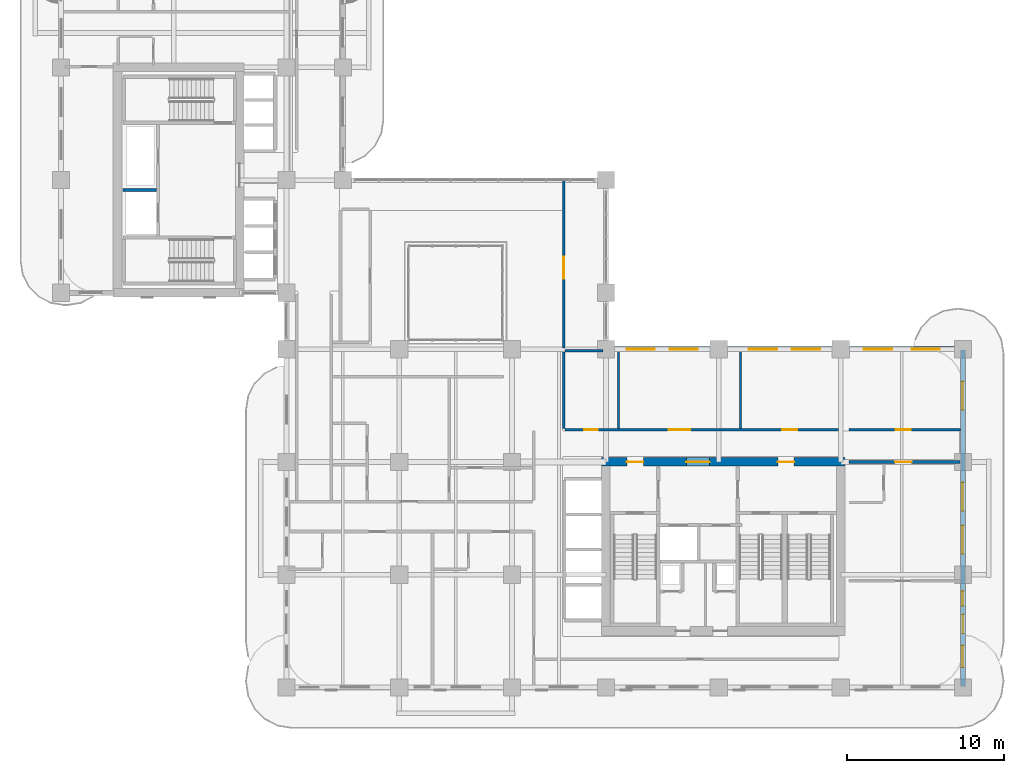
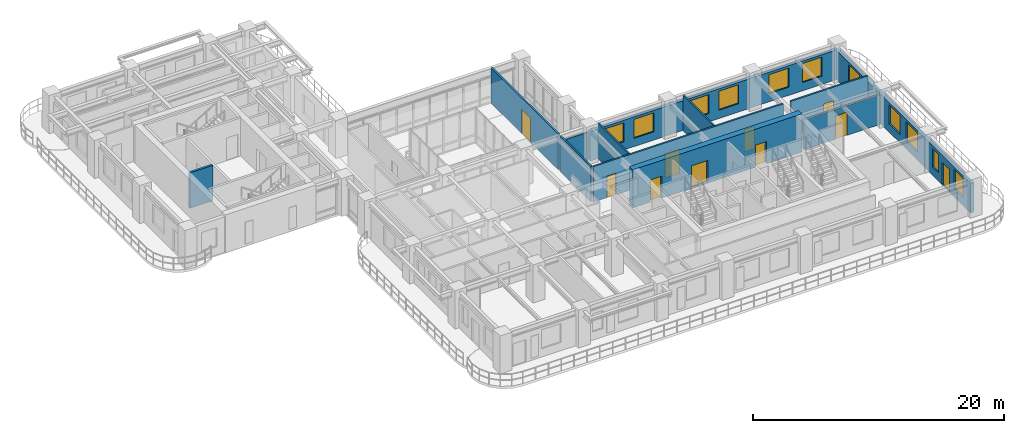
# One storey, part 15 of 22: 12 walls, 11 windows, 10 doors, 21 openings.
"""IFC4 building model written with IfcOpenShell, lengths in metres."""

from ifc_helpers import new_model, si_unit, derived_unit, direction, frame, frame_2d, origin, place, context, subcontext, project, spatial, rectangle, extrude, source, transform, mapped, material, layer, layer_set, type_object, type_shapes, element, fill, save


model = new_model("IFC4")

# Units and contexts
model_context = context("Model", 3, precision=1e-05, world=origin(), true_north=direction((0.0, 1.0)))
body_context = subcontext(model_context, "Body", "Model", "MODEL_VIEW")
ifc_project = project(units=[si_unit("LENGTHUNIT", "METRE"), si_unit("AREAUNIT", "SQUARE_METRE"), si_unit("VOLUMEUNIT", "CUBIC_METRE"), si_unit("PLANEANGLEUNIT", "RADIAN"), si_unit("MASSUNIT", "GRAM", prefix="KILO"), si_unit("THERMODYNAMICTEMPERATUREUNIT", "KELVIN"), si_unit("POWERUNIT", "WATT"), derived_unit("THERMALTRANSMITTANCEUNIT", [(si_unit("POWERUNIT", "WATT"), 1), (si_unit("AREAUNIT", "SQUARE_METRE"), -1), (si_unit("THERMODYNAMICTEMPERATUREUNIT", "KELVIN"), -1)])], contexts=[model_context])

# Site, building, storey
site_placement = place(None, origin())
site = spatial("IfcSite", under=ifc_project, at=site_placement, CompositionType="ELEMENT")
building_placement = place(site_placement, origin())
building = spatial("IfcBuilding", under=site, at=building_placement, Name="Zahravan Archway Hotel and Residences", CompositionType="ELEMENT")
storey_placement = place(building_placement, frame((0.0, 0.0, 84.199951171875)))
storey = spatial("IfcBuildingStorey", under=building, at=storey_placement, Name="L20", CompositionType="ELEMENT", Elevation=84.199951171875)

# Wall, openings, doors
ifc_material_1 = material(Name="Concrete C70/85", Category="concrete")
ifc_layer_1 = layer(ifc_material_1, 0.550048828125, Name="Concrete C70/85", Category="concrete")
ifc_layer_set_1 = layer_set([ifc_layer_1], Name="Concrete C70/85")
wall_type_1 = type_object("IfcWallType", Name="CW-CORE-550", PredefinedType="SHEAR", material=ifc_layer_set_1)
wall_1_placement = place(storey_placement, frame((34.52490234375, 14.39990234375, 0.0), z_axis=(0.0, 0.0, 1.0), x_axis=(1.0, 0.0, 0.0)))
wall_1 = element("IfcWall", 1, at=wall_1_placement, inside=storey, type_object=wall_type_1, Name="L20 Core A Shear N Wall 550 mm", PredefinedType="SHEAR", context=body_context, shape_type="SweptSolid", body=[
    extrude(rectangle(XDim=15.550048828125, YDim=0.550048828125, at=frame_2d((7.77490234375, 0.0))), origin(), (0.0, 0.0, 1.0), 3.699951171875),
])
opening_1_placement = place(wall_1_placement, frame((5.405029296875, 0.0, 0.0)))
opening_1 = element("IfcOpeningElement", 2, at=opening_1_placement, cuts=wall_1, Name="Opening FD-L1", PredefinedType="OPENING", context=body_context, shape_type="SweptSolid", body=[
    extrude(rectangle(XDim=1.5, YDim=2.199951171875, at=frame_2d((0.75, 1.10009765625))), frame((0.0, 0.28515625, 0.0), z_axis=(0.0, -1.0, 0.0), x_axis=(1.0, 0.0, 0.0)), (0.0, 0.0, 1.0), 0.570068359375),
])
opening_2_placement = place(wall_1_placement, frame((1.6201171875, 0.0, 0.0)))
opening_2 = element("IfcOpeningElement", 3, at=opening_2_placement, cuts=wall_1, Name="Opening FD-L2", PredefinedType="OPENING", context=body_context, shape_type="SweptSolid", body=[
    extrude(rectangle(XDim=1.050048828125, YDim=2.14990234375, at=frame_2d((0.52490234375, 1.074951171875))), frame((0.0, 0.28515625, 0.0), z_axis=(0.0, -1.0, 0.0), x_axis=(1.0, 0.0, 0.0)), (0.0, 0.0, 1.0), 0.570068359375),
])
opening_3_placement = place(wall_1_placement, frame((11.25, 0.0, 0.0)))
opening_3 = element("IfcOpeningElement", 4, at=opening_3_placement, cuts=wall_1, Name="Opening FD-L2", PredefinedType="OPENING", context=body_context, shape_type="SweptSolid", body=[
    extrude(rectangle(XDim=1.050048828125, YDim=2.14990234375, at=frame_2d((0.52490234375, 1.074951171875))), frame((0.0, 0.28515625, 0.0), z_axis=(0.0, -1.0, 0.0), x_axis=(1.0, 0.0, 0.0)), (0.0, 0.0, 1.0), 0.570068359375),
])
ifc_material_2 = material(Name="Fire-Rated Painted Steel", Category="steel")
door_type_1 = type_object("IfcDoorType", Name="FD-LOBBY-1100", OperationType="NOTDEFINED", PredefinedType="DOOR", material=ifc_material_2)
shared_shape_1 = source(origin(), body_context, "Body", "SweptSolid", [
    extrude(rectangle(XDim=1.050048828125, YDim=2.14990234375, at=frame_2d((0.52490234375, 1.074951171875))), frame((0.0, 0.02490234375, 0.0), z_axis=(0.0, -1.0, 0.0), x_axis=(1.0, 0.0, 0.0)), (0.0, 0.0, 1.0), 0.050048828125),
])
type_shapes(door_type_1, [shared_shape_1])
door_1_placement = place(opening_2_placement, origin())
door_1 = element("IfcDoor", 5, at=door_1_placement, inside=storey, type_object=door_type_1, Name="L20 Core A West Stair Lobby Door", OperationType="SINGLE_SWING_LEFT", OverallHeight=2.14990234375, OverallWidth=1.050048828125, PredefinedType="DOOR", context=body_context, shape_type="MappedRepresentation", body=[
    mapped(shared_shape_1, transform((0.0, 0.0, 0.0), scale=1.0)),
])
fill(opening_2, door_1)
door_2_placement = place(opening_3_placement, origin())
door_2 = element("IfcDoor", 6, at=door_2_placement, inside=storey, type_object=door_type_1, Name="L20 Core A East Stair Lobby Door", OperationType="SINGLE_SWING_RIGHT", OverallHeight=2.14990234375, OverallWidth=1.050048828125, PredefinedType="DOOR", context=body_context, shape_type="MappedRepresentation", body=[
    mapped(shared_shape_1, transform((0.0, 0.0, 0.0), scale=1.0)),
])
fill(opening_3, door_2)
door_type_2 = type_object("IfcDoorType", Name="FD-LOBBY-1500", OperationType="DOUBLE_DOOR_SINGLE_SWING", PredefinedType="DOOR", material=ifc_material_2)
shared_shape_2 = source(origin(), body_context, "Body", "SweptSolid", [
    extrude(rectangle(XDim=1.5, YDim=2.199951171875, at=frame_2d((0.75, 1.10009765625))), frame((0.0, 0.02490234375, 0.0), z_axis=(0.0, -1.0, 0.0), x_axis=(1.0, 0.0, 0.0)), (0.0, 0.0, 1.0), 0.050048828125),
])
type_shapes(door_type_2, [shared_shape_2])
door_3_placement = place(opening_1_placement, origin())
door_3 = element("IfcDoor", 7, at=door_3_placement, inside=storey, type_object=door_type_2, Name="L20 Core A FSAE Lobby Main Door", OperationType="DOUBLE_DOOR_SINGLE_SWING", OverallHeight=2.199951171875, OverallWidth=1.5, PredefinedType="DOOR", context=body_context, shape_type="MappedRepresentation", body=[
    mapped(shared_shape_2, transform((0.0, 0.0, 0.0), scale=1.0)),
])
fill(opening_1, door_3)

# Wall, openings, door, windows
ifc_material_3 = material(Name="Agra Buff Sandstone & Insulated Backup", Category="masonry")
ifc_layer_2 = layer(ifc_material_3, 0.320068359375, Name="Agra Buff Sandstone & Insulated Backup", Category="masonry")
ifc_layer_set_2 = layer_set([ifc_layer_2], Name="Agra Buff Sandstone & Insulated Backup")
wall_type_2 = type_object("IfcWallType", Name="EW-SAND-320", PredefinedType="SOLIDWALL", material=ifc_layer_set_2)
wall_2_placement = place(storey_placement, frame((57.60009765625, 0.050048828125, 0.0), z_axis=(0.0, 0.0, 1.0), x_axis=(0.0, 1.0, 0.0)))
wall_2 = element("IfcWall", 8, at=wall_2_placement, inside=storey, type_object=wall_type_2, Name="L20 Exterior Sandstone Wall WA-E", PredefinedType="SOLIDWALL", context=body_context, shape_type="SweptSolid", body=[
    extrude(rectangle(XDim=21.5, YDim=0.320068359375, at=frame_2d((10.75, 0.0))), origin(), (0.0, 0.0, 1.0), 2.885009765625),
])
opening_4_placement = place(wall_2_placement, frame((3.39990234375, 0.0, 0.0)))
opening_4 = element("IfcOpeningElement", 9, at=opening_4_placement, cuts=wall_2, Name="Opening ED-BL1", PredefinedType="OPENING", context=body_context, shape_type="SweptSolid", body=[
    extrude(rectangle(XDim=1.199951171875, YDim=2.199951171875, at=frame_2d((0.60009765625, 1.10009765625))), frame((0.0, 0.169921875, 0.0), z_axis=(0.0, -1.0, 0.0), x_axis=(1.0, 0.0, 0.0)), (0.0, 0.0, 1.0), 0.340087890625),
])
opening_5_placement = place(wall_2_placement, frame((1.22509765625, 0.0, 0.800048828125)))
opening_5 = element("IfcOpeningElement", 10, at=opening_5_placement, cuts=wall_2, Name="Opening W-03", PredefinedType="OPENING", context=body_context, shape_type="SweptSolid", body=[
    extrude(rectangle(XDim=1.39990234375, YDim=1.85009765625, at=frame_2d((0.699951171875, 0.925048828125))), frame((0.0, 0.169921875, 0.0), z_axis=(0.0, -1.0, 0.0), x_axis=(1.0, 0.0, 0.0)), (0.0, 0.0, 1.0), 0.340087890625),
])
opening_6_placement = place(wall_2_placement, frame((5.14990234375, 0.0, 0.800048828125)))
opening_6 = element("IfcOpeningElement", 11, at=opening_6_placement, cuts=wall_2, Name="Opening W-04", PredefinedType="OPENING", context=body_context, shape_type="SweptSolid", body=[
    extrude(rectangle(XDim=0.949951171875, YDim=1.75, at=frame_2d((0.47509765625, 0.875))), frame((0.0, 0.169921875, 0.0), z_axis=(0.0, -1.0, 0.0), x_axis=(1.0, 0.0, 0.0)), (0.0, 0.0, 1.0), 0.340087890625),
])
opening_7_placement = place(wall_2_placement, frame((8.47509765625, 0.0, 0.800048828125)))
opening_7 = element("IfcOpeningElement", 12, at=opening_7_placement, cuts=wall_2, Name="Opening W-02", PredefinedType="OPENING", context=body_context, shape_type="SweptSolid", body=[
    extrude(rectangle(XDim=1.800048828125, YDim=1.85009765625, at=frame_2d((0.89990234375, 0.925048828125))), frame((0.0, 0.169921875, 0.0), z_axis=(0.0, -1.0, 0.0), x_axis=(1.0, 0.0, 0.0)), (0.0, 0.0, 1.0), 0.340087890625),
])
opening_8_placement = place(wall_2_placement, frame((11.22509765625, 0.0, 0.800048828125)))
opening_8 = element("IfcOpeningElement", 13, at=opening_8_placement, cuts=wall_2, Name="Opening W-02", PredefinedType="OPENING", context=body_context, shape_type="SweptSolid", body=[
    extrude(rectangle(XDim=1.800048828125, YDim=1.85009765625, at=frame_2d((0.89990234375, 0.925048828125))), frame((0.0, 0.169921875, 0.0), z_axis=(0.0, -1.0, 0.0), x_axis=(1.0, 0.0, 0.0)), (0.0, 0.0, 1.0), 0.340087890625),
])
opening_9_placement = place(wall_2_placement, frame((17.678955078125, 0.0, 0.800048828125)))
opening_9 = element("IfcOpeningElement", 14, at=opening_9_placement, cuts=wall_2, Name="Opening W-02", PredefinedType="OPENING", context=body_context, shape_type="SweptSolid", body=[
    extrude(rectangle(XDim=1.800048828125, YDim=1.85009765625, at=frame_2d((0.89990234375, 0.925048828125))), frame((0.0, 0.169921875, 0.0), z_axis=(0.0, -1.0, 0.0), x_axis=(1.0, 0.0, 0.0)), (0.0, 0.0, 1.0), 0.340087890625),
])
ifc_material_4 = material(Name="Bronze-Anodized Glazed Aluminium", Category="aluminium")
door_type_3 = type_object("IfcDoorType", Name="ED-BALC-1200", OperationType="SLIDING_TO_LEFT", PredefinedType="DOOR", material=ifc_material_4)
shared_shape_3 = source(origin(), body_context, "Body", "SweptSolid", [
    extrude(rectangle(XDim=1.199951171875, YDim=2.199951171875, at=frame_2d((0.60009765625, 1.10009765625))), frame((0.0, 0.02490234375, 0.0), z_axis=(0.0, -1.0, 0.0), x_axis=(1.0, 0.0, 0.0)), (0.0, 0.0, 1.0), 0.050048828125),
])
type_shapes(door_type_3, [shared_shape_3])
door_4_placement = place(opening_4_placement, origin())
door_4 = element("IfcDoor", 15, at=door_4_placement, inside=storey, type_object=door_type_3, Name="L20 Outdoor Access Sliding Door (SLB-BAL-L20-EA)", OperationType="SLIDING_TO_LEFT", OverallHeight=2.199951171875, OverallWidth=1.199951171875, PredefinedType="DOOR", context=body_context, shape_type="MappedRepresentation", body=[
    mapped(shared_shape_3, transform((0.0, 0.0, 0.0), scale=1.0)),
])
fill(opening_4, door_4)
ifc_material_5 = material(Name="Bronze-Anodized Thermal-Break Aluminium & Low-E Glass", Category="aluminium")
window_type_1 = type_object("IfcWindowType", Name="WIN-TWR-1400", PartitioningType="SINGLE_PANEL", PredefinedType="WINDOW", material=ifc_material_5)
shared_shape_4 = source(origin(), body_context, "Body", "SweptSolid", [
    extrude(rectangle(XDim=1.39990234375, YDim=1.85009765625, at=frame_2d((0.699951171875, 0.925048828125))), frame((0.0, 0.030029296875, 0.0), z_axis=(0.0, -1.0, 0.0), x_axis=(1.0, 0.0, 0.0)), (0.0, 0.0, 1.0), 0.06005859375),
])
type_shapes(window_type_1, [shared_shape_4])
window_1_placement = place(opening_5_placement, origin())
window_1 = element("IfcWindow", 16, at=window_1_placement, inside=storey, type_object=window_type_1, Name="L20 Loggia Window 11", OverallHeight=1.85009765625, OverallWidth=1.39990234375, PartitioningType="SINGLE_PANEL", PredefinedType="WINDOW", context=body_context, shape_type="MappedRepresentation", body=[
    mapped(shared_shape_4, transform((0.0, 0.0, 0.0), scale=1.0)),
])
fill(opening_5, window_1)
window_type_2 = type_object("IfcWindowType", Name="WIN-NAR-950", PartitioningType="SINGLE_PANEL", PredefinedType="WINDOW", material=ifc_material_5)
shared_shape_5 = source(origin(), body_context, "Body", "SweptSolid", [
    extrude(rectangle(XDim=0.949951171875, YDim=1.75, at=frame_2d((0.47509765625, 0.875))), frame((0.0, 0.030029296875, 0.0), z_axis=(0.0, -1.0, 0.0), x_axis=(1.0, 0.0, 0.0)), (0.0, 0.0, 1.0), 0.06005859375),
])
type_shapes(window_type_2, [shared_shape_5])
window_2_placement = place(opening_6_placement, origin())
window_2 = element("IfcWindow", 17, at=window_2_placement, inside=storey, type_object=window_type_2, Name="L20 Loggia Window 12", OverallHeight=1.75, OverallWidth=0.949951171875, PartitioningType="SINGLE_PANEL", PredefinedType="WINDOW", context=body_context, shape_type="MappedRepresentation", body=[
    mapped(shared_shape_5, transform((0.0, 0.0, 0.0), scale=1.0)),
])
fill(opening_6, window_2)
window_type_3 = type_object("IfcWindowType", Name="WIN-TWR-1800", PartitioningType="DOUBLE_PANEL_VERTICAL", PredefinedType="WINDOW", material=ifc_material_5)
shared_shape_6 = source(origin(), body_context, "Body", "SweptSolid", [
    extrude(rectangle(XDim=1.800048828125, YDim=1.85009765625, at=frame_2d((0.89990234375, 0.925048828125))), frame((0.0, 0.030029296875, 0.0), z_axis=(0.0, -1.0, 0.0), x_axis=(1.0, 0.0, 0.0)), (0.0, 0.0, 1.0), 0.06005859375),
])
type_shapes(window_type_3, [shared_shape_6])
window_3_placement = place(opening_7_placement, origin())
window_3 = element("IfcWindow", 18, at=window_3_placement, inside=storey, type_object=window_type_3, Name="L20 Loggia Window 13", OverallHeight=1.85009765625, OverallWidth=1.800048828125, PartitioningType="DOUBLE_PANEL_VERTICAL", PredefinedType="WINDOW", context=body_context, shape_type="MappedRepresentation", body=[
    mapped(shared_shape_6, transform((0.0, 0.0, 0.0), scale=1.0)),
])
fill(opening_7, window_3)
window_4_placement = place(opening_8_placement, origin())
window_4 = element("IfcWindow", 19, at=window_4_placement, inside=storey, type_object=window_type_3, Name="L20 Loggia Window 14", OverallHeight=1.85009765625, OverallWidth=1.800048828125, PartitioningType="DOUBLE_PANEL_VERTICAL", PredefinedType="WINDOW", context=body_context, shape_type="MappedRepresentation", body=[
    mapped(shared_shape_6, transform((0.0, 0.0, 0.0), scale=1.0)),
])
fill(opening_8, window_4)
window_5_placement = place(opening_9_placement, origin())
window_5 = element("IfcWindow", 20, at=window_5_placement, inside=storey, type_object=window_type_3, Name="L20 Loggia Window 15", OverallHeight=1.85009765625, OverallWidth=1.800048828125, PartitioningType="DOUBLE_PANEL_VERTICAL", PredefinedType="WINDOW", context=body_context, shape_type="MappedRepresentation", body=[
    mapped(shared_shape_6, transform((0.0, 0.0, 0.0), scale=1.0)),
])
fill(opening_9, window_5)

# Wall, openings, windows
wall_3_placement = place(storey_placement, frame((34.800048828125, 21.60009765625, 0.0), z_axis=(0.0, 0.0, 1.0), x_axis=(1.0, 0.0, 0.0)))
wall_3 = element("IfcWall", 21, at=wall_3_placement, inside=storey, type_object=wall_type_2, Name="L20 Exterior Sandstone Wall WA-NE", PredefinedType="SOLIDWALL", context=body_context, shape_type="SweptSolid", body=[
    extrude(rectangle(XDim=22.800048828125, YDim=0.320068359375, at=frame_2d((11.39990234375, 0.0))), origin(), (0.0, 0.0, 1.0), 2.885009765625),
])
opening_10_placement = place(wall_3_placement, frame((1.3310546875, 0.0, 0.800048828125)))
opening_10 = element("IfcOpeningElement", 22, at=opening_10_placement, cuts=wall_3, Name="Opening W-02", PredefinedType="OPENING", context=body_context, shape_type="SweptSolid", body=[
    extrude(rectangle(XDim=1.800048828125, YDim=1.85009765625, at=frame_2d((0.89990234375, 0.925048828125))), frame((0.0, 0.169921875, 0.0), z_axis=(0.0, -1.0, 0.0), x_axis=(1.0, 0.0, 0.0)), (0.0, 0.0, 1.0), 0.340087890625),
])
opening_11_placement = place(wall_3_placement, frame((4.076904296875, 0.0, 0.800048828125)))
opening_11 = element("IfcOpeningElement", 23, at=opening_11_placement, cuts=wall_3, Name="Opening W-02", PredefinedType="OPENING", context=body_context, shape_type="SweptSolid", body=[
    extrude(rectangle(XDim=1.800048828125, YDim=1.85009765625, at=frame_2d((0.89990234375, 0.925048828125))), frame((0.0, 0.169921875, 0.0), z_axis=(0.0, -1.0, 0.0), x_axis=(1.0, 0.0, 0.0)), (0.0, 0.0, 1.0), 0.340087890625),
])
opening_12_placement = place(wall_3_placement, frame((9.131103515625, 0.0, 0.800048828125)))
opening_12 = element("IfcOpeningElement", 24, at=opening_12_placement, cuts=wall_3, Name="Opening W-02", PredefinedType="OPENING", context=body_context, shape_type="SweptSolid", body=[
    extrude(rectangle(XDim=1.800048828125, YDim=1.85009765625, at=frame_2d((0.89990234375, 0.925048828125))), frame((0.0, 0.169921875, 0.0), z_axis=(0.0, -1.0, 0.0), x_axis=(1.0, 0.0, 0.0)), (0.0, 0.0, 1.0), 0.340087890625),
])
opening_13_placement = place(wall_3_placement, frame((11.876953125, 0.0, 0.800048828125)))
opening_13 = element("IfcOpeningElement", 25, at=opening_13_placement, cuts=wall_3, Name="Opening W-02", PredefinedType="OPENING", context=body_context, shape_type="SweptSolid", body=[
    extrude(rectangle(XDim=1.800048828125, YDim=1.85009765625, at=frame_2d((0.89990234375, 0.925048828125))), frame((0.0, 0.169921875, 0.0), z_axis=(0.0, -1.0, 0.0), x_axis=(1.0, 0.0, 0.0)), (0.0, 0.0, 1.0), 0.340087890625),
])
opening_14_placement = place(wall_3_placement, frame((16.47509765625, 0.0, 0.800048828125)))
opening_14 = element("IfcOpeningElement", 26, at=opening_14_placement, cuts=wall_3, Name="Opening W-02", PredefinedType="OPENING", context=body_context, shape_type="SweptSolid", body=[
    extrude(rectangle(XDim=1.800048828125, YDim=1.85009765625, at=frame_2d((0.89990234375, 0.925048828125))), frame((0.0, 0.169921875, 0.0), z_axis=(0.0, -1.0, 0.0), x_axis=(1.0, 0.0, 0.0)), (0.0, 0.0, 1.0), 0.340087890625),
])
opening_15_placement = place(wall_3_placement, frame((19.52490234375, 0.0, 0.800048828125)))
opening_15 = element("IfcOpeningElement", 27, at=opening_15_placement, cuts=wall_3, Name="Opening W-02", PredefinedType="OPENING", context=body_context, shape_type="SweptSolid", body=[
    extrude(rectangle(XDim=1.800048828125, YDim=1.85009765625, at=frame_2d((0.89990234375, 0.925048828125))), frame((0.0, 0.169921875, 0.0), z_axis=(0.0, -1.0, 0.0), x_axis=(1.0, 0.0, 0.0)), (0.0, 0.0, 1.0), 0.340087890625),
])
window_6_placement = place(opening_10_placement, origin())
window_6 = element("IfcWindow", 28, at=window_6_placement, inside=storey, type_object=window_type_3, Name="L20 Loggia Window 16", OverallHeight=1.85009765625, OverallWidth=1.800048828125, PartitioningType="DOUBLE_PANEL_VERTICAL", PredefinedType="WINDOW", context=body_context, shape_type="MappedRepresentation", body=[
    mapped(shared_shape_6, transform((0.0, 0.0, 0.0), scale=1.0)),
])
fill(opening_10, window_6)
window_7_placement = place(opening_11_placement, origin())
window_7 = element("IfcWindow", 29, at=window_7_placement, inside=storey, type_object=window_type_3, Name="L20 Loggia Window 17", OverallHeight=1.85009765625, OverallWidth=1.800048828125, PartitioningType="DOUBLE_PANEL_VERTICAL", PredefinedType="WINDOW", context=body_context, shape_type="MappedRepresentation", body=[
    mapped(shared_shape_6, transform((0.0, 0.0, 0.0), scale=1.0)),
])
fill(opening_11, window_7)
window_8_placement = place(opening_12_placement, origin())
window_8 = element("IfcWindow", 30, at=window_8_placement, inside=storey, type_object=window_type_3, Name="L20 Loggia Window 18", OverallHeight=1.85009765625, OverallWidth=1.800048828125, PartitioningType="DOUBLE_PANEL_VERTICAL", PredefinedType="WINDOW", context=body_context, shape_type="MappedRepresentation", body=[
    mapped(shared_shape_6, transform((0.0, 0.0, 0.0), scale=1.0)),
])
fill(opening_12, window_8)
window_9_placement = place(opening_13_placement, origin())
window_9 = element("IfcWindow", 31, at=window_9_placement, inside=storey, type_object=window_type_3, Name="L20 Loggia Window 19", OverallHeight=1.85009765625, OverallWidth=1.800048828125, PartitioningType="DOUBLE_PANEL_VERTICAL", PredefinedType="WINDOW", context=body_context, shape_type="MappedRepresentation", body=[
    mapped(shared_shape_6, transform((0.0, 0.0, 0.0), scale=1.0)),
])
fill(opening_13, window_9)
window_10_placement = place(opening_14_placement, origin())
window_10 = element("IfcWindow", 32, at=window_10_placement, inside=storey, type_object=window_type_3, Name="L20 Loggia Window 20", OverallHeight=1.85009765625, OverallWidth=1.800048828125, PartitioningType="DOUBLE_PANEL_VERTICAL", PredefinedType="WINDOW", context=body_context, shape_type="MappedRepresentation", body=[
    mapped(shared_shape_6, transform((0.0, 0.0, 0.0), scale=1.0)),
])
fill(opening_14, window_10)
window_11_placement = place(opening_15_placement, origin())
window_11 = element("IfcWindow", 33, at=window_11_placement, inside=storey, type_object=window_type_3, Name="L20 Loggia Window 21", OverallHeight=1.85009765625, OverallWidth=1.800048828125, PartitioningType="DOUBLE_PANEL_VERTICAL", PredefinedType="WINDOW", context=body_context, shape_type="MappedRepresentation", body=[
    mapped(shared_shape_6, transform((0.0, 0.0, 0.0), scale=1.0)),
])
fill(opening_15, window_11)

# Wall, openings, doors
ifc_material_6 = material(Name="Fire-Rated Gypsum & Concrete Block", Category="concrete")
ifc_layer_3 = layer(ifc_material_6, 0.159912109375, Name="Fire-Rated Gypsum & Concrete Block", Category="concrete")
ifc_layer_set_3 = layer_set([ifc_layer_3], Name="Fire-Rated Gypsum & Concrete Block")
wall_type_3 = type_object("IfcWallType", Name="PW-CORR-160", PredefinedType="PARTITIONING", material=ifc_layer_set_3)
wall_4_placement = place(storey_placement, frame((32.18994140625, 16.449951171875, 0.0), z_axis=(0.0, 0.0, 1.0), x_axis=(1.0, 0.0, 0.0)))
wall_4 = element("IfcWall", 34, at=wall_4_placement, inside=storey, type_object=wall_type_3, Name="L20 Partition WA-FN", PredefinedType="PARTITIONING", context=body_context, shape_type="SweptSolid", body=[
    extrude(rectangle(XDim=17.469970703125, YDim=0.159912109375, at=frame_2d((8.73486328125, 0.0))), origin(), (0.0, 0.0, 1.0), 3.449951171875),
])
opening_16_placement = place(wall_4_placement, frame((1.235107421875, 0.0, 0.0)))
opening_16 = element("IfcOpeningElement", 35, at=opening_16_placement, cuts=wall_4, Name="Opening D-B1", PredefinedType="OPENING", context=body_context, shape_type="SweptSolid", body=[
    extrude(rectangle(XDim=0.85009765625, YDim=2.10009765625, at=frame_2d((0.425048828125, 1.050048828125))), frame((0.0, 0.08984375, 0.0), z_axis=(0.0, -1.0, 0.0), x_axis=(1.0, 0.0, 0.0)), (0.0, 0.0, 1.0), 0.179931640625),
])
opening_17_placement = place(wall_4_placement, frame((6.610107421875, 0.0, 0.0)))
opening_17 = element("IfcOpeningElement", 36, at=opening_17_placement, cuts=wall_4, Name="Opening D-P1", PredefinedType="OPENING", context=body_context, shape_type="SweptSolid", body=[
    extrude(rectangle(XDim=1.39990234375, YDim=2.35009765625, at=frame_2d((0.699951171875, 1.175048828125))), frame((0.0, 0.08984375, 0.0), z_axis=(0.0, -1.0, 0.0), x_axis=(1.0, 0.0, 0.0)), (0.0, 0.0, 1.0), 0.179931640625),
])
opening_18_placement = place(wall_4_placement, frame((13.885009765625, 0.0, 0.0)))
opening_18 = element("IfcOpeningElement", 37, at=opening_18_placement, cuts=wall_4, Name="Opening D-I1", PredefinedType="OPENING", context=body_context, shape_type="SweptSolid", body=[
    extrude(rectangle(XDim=0.949951171875, YDim=2.14990234375, at=frame_2d((0.47509765625, 1.074951171875))), frame((0.0, 0.08984375, 0.0), z_axis=(0.0, -1.0, 0.0), x_axis=(1.0, 0.0, 0.0)), (0.0, 0.0, 1.0), 0.179931640625),
])
ifc_material_7 = material(Name="Hardwood Veneer Timber", Category="wood")
door_type_4 = type_object("IfcDoorType", Name="ID-BATH-850", OperationType="NOTDEFINED", PredefinedType="DOOR", material=ifc_material_7)
shared_shape_7 = source(origin(), body_context, "Body", "SweptSolid", [
    extrude(rectangle(XDim=0.85009765625, YDim=2.10009765625, at=frame_2d((0.425048828125, 1.050048828125))), frame((0.0, 0.02490234375, 0.0), z_axis=(0.0, -1.0, 0.0), x_axis=(1.0, 0.0, 0.0)), (0.0, 0.0, 1.0), 0.050048828125),
])
type_shapes(door_type_4, [shared_shape_7])
door_5_placement = place(opening_16_placement, origin())
door_5 = element("IfcDoor", 38, at=door_5_placement, inside=storey, type_object=door_type_4, Name="L20 Accessible WC Door", OperationType="SINGLE_SWING_RIGHT", OverallHeight=2.10009765625, OverallWidth=0.85009765625, PredefinedType="DOOR", context=body_context, shape_type="MappedRepresentation", body=[
    mapped(shared_shape_7, transform((0.0, 0.0, 0.0), scale=1.0)),
])
fill(opening_16, door_5)
door_type_5 = type_object("IfcDoorType", Name="ID-PUBLIC-1400", OperationType="DOUBLE_DOOR_SINGLE_SWING", PredefinedType="DOOR", material=ifc_material_4)
shared_shape_8 = source(origin(), body_context, "Body", "SweptSolid", [
    extrude(rectangle(XDim=1.39990234375, YDim=2.35009765625, at=frame_2d((0.699951171875, 1.175048828125))), frame((0.0, 0.02490234375, 0.0), z_axis=(0.0, -1.0, 0.0), x_axis=(1.0, 0.0, 0.0)), (0.0, 0.0, 1.0), 0.050048828125),
])
type_shapes(door_type_5, [shared_shape_8])
door_6_placement = place(opening_17_placement, origin())
door_6 = element("IfcDoor", 39, at=door_6_placement, inside=storey, type_object=door_type_5, Name="L20 Private Dining Door", OperationType="DOUBLE_DOOR_SINGLE_SWING", OverallHeight=2.35009765625, OverallWidth=1.39990234375, PredefinedType="DOOR", context=body_context, shape_type="MappedRepresentation", body=[
    mapped(shared_shape_8, transform((0.0, 0.0, 0.0), scale=1.0)),
])
fill(opening_17, door_6)
door_type_6 = type_object("IfcDoorType", Name="ID-INT-950", OperationType="NOTDEFINED", PredefinedType="DOOR", material=ifc_material_7)
shared_shape_9 = source(origin(), body_context, "Body", "SweptSolid", [
    extrude(rectangle(XDim=0.949951171875, YDim=2.14990234375, at=frame_2d((0.47509765625, 1.074951171875))), frame((0.0, 0.02490234375, 0.0), z_axis=(0.0, -1.0, 0.0), x_axis=(1.0, 0.0, 0.0)), (0.0, 0.0, 1.0), 0.050048828125),
])
type_shapes(door_type_6, [shared_shape_9])
door_7_placement = place(opening_18_placement, origin())
door_7 = element("IfcDoor", 40, at=door_7_placement, inside=storey, type_object=door_type_6, Name="L20 Quiet Musalla Door", OperationType="SINGLE_SWING_LEFT", OverallHeight=2.14990234375, OverallWidth=0.949951171875, PredefinedType="DOOR", context=body_context, shape_type="MappedRepresentation", body=[
    mapped(shared_shape_9, transform((0.0, 0.0, 0.0), scale=1.0)),
])
fill(opening_18, door_7)

# Wall, opening, door
wall_5_placement = place(storey_placement, frame((50.340087890625, 16.449951171875, 0.0), z_axis=(0.0, 0.0, 1.0), x_axis=(1.0, 0.0, 0.0)))
wall_5 = element("IfcWall", 41, at=wall_5_placement, inside=storey, type_object=wall_type_3, Name="L20 Partition EA-PN", PredefinedType="PARTITIONING", context=body_context, shape_type="SweptSolid", body=[
    extrude(rectangle(XDim=7.091796875, YDim=0.159912109375, at=frame_2d((3.5458984375, 0.0))), origin(), (0.0, 0.0, 1.0), 3.449951171875),
])
opening_19_placement = place(wall_5_placement, frame((2.985107421875, 0.0, 0.0)))
opening_19 = element("IfcOpeningElement", 42, at=opening_19_placement, cuts=wall_5, Name="Opening D-I1", PredefinedType="OPENING", context=body_context, shape_type="SweptSolid", body=[
    extrude(rectangle(XDim=0.949951171875, YDim=2.14990234375, at=frame_2d((0.47509765625, 1.074951171875))), frame((0.0, 0.08984375, 0.0), z_axis=(0.0, -1.0, 0.0), x_axis=(1.0, 0.0, 0.0)), (0.0, 0.0, 1.0), 0.179931640625),
])
door_8_placement = place(opening_19_placement, origin())
door_8 = element("IfcDoor", 43, at=door_8_placement, inside=storey, type_object=door_type_6, Name="L20 East Tea Kitchenette Door", OperationType="SINGLE_SWING_LEFT", OverallHeight=2.14990234375, OverallWidth=0.949951171875, PredefinedType="DOOR", context=body_context, shape_type="MappedRepresentation", body=[
    mapped(shared_shape_9, transform((0.0, 0.0, 0.0), scale=1.0)),
])
fill(opening_19, door_8)

# Wall
ifc_layer_4 = layer(ifc_material_6, 0.199951171875, Name="Fire-Rated Gypsum & Concrete Block", Category="concrete")
ifc_layer_set_4 = layer_set([ifc_layer_4], Name="Fire-Rated Gypsum & Concrete Block")
wall_type_4 = type_object("IfcWallType", Name="PW-SHAFT-200", PredefinedType="PARTITIONING", material=ifc_layer_set_4)
wall_6_placement = place(storey_placement, frame((3.9599609375, 31.780029296875, 0.0), z_axis=(0.0, 0.0, 1.0), x_axis=(1.0, 0.0, 0.0)))
element("IfcWall", 44, at=wall_6_placement, inside=storey, type_object=wall_type_4, Name="L20 Partition CB-FL3N", PredefinedType="PARTITIONING", context=body_context, shape_type="SweptSolid", body=[
    extrude(rectangle(XDim=2.130126953125, YDim=0.199951171875, at=frame_2d((1.06494140625, 0.0))), origin(), (0.0, 0.0, 1.0), 3.449951171875),
])

# Wall, opening, door
ifc_material_8 = material(Name="Acoustic Stud Partition")
ifc_layer_5 = layer(ifc_material_8, 0.169921875, Name="Acoustic Stud Partition")
ifc_layer_set_5 = layer_set([ifc_layer_5], Name="Acoustic Stud Partition")
wall_type_5 = type_object("IfcWallType", Name="PW-UNIT-170", PredefinedType="PARTITIONING", material=ifc_layer_set_5)
wall_7_placement = place(storey_placement, frame((50.340087890625, 14.39990234375, 0.0), z_axis=(0.0, 0.0, 1.0), x_axis=(1.0, 0.0, 0.0)))
wall_7 = element("IfcWall", 45, at=wall_7_placement, inside=storey, type_object=wall_type_5, Name="L20 Partition EA-PS", PredefinedType="PARTITIONING", context=body_context, shape_type="SweptSolid", body=[
    extrude(rectangle(XDim=7.06982421875, YDim=0.169921875, at=frame_2d((3.534912109375, 0.0))), origin(), (0.0, 0.0, 1.0), 2.885009765625),
])
opening_20_placement = place(wall_7_placement, frame((2.93505859375, 0.0, 0.0)))
opening_20 = element("IfcOpeningElement", 46, at=opening_20_placement, cuts=wall_7, Name="Opening D-U1", PredefinedType="OPENING", context=body_context, shape_type="SweptSolid", body=[
    extrude(rectangle(XDim=1.050048828125, YDim=2.25, at=frame_2d((0.52490234375, 1.125))), frame((0.0, 0.094970703125, 0.0), z_axis=(0.0, -1.0, 0.0), x_axis=(1.0, 0.0, 0.0)), (0.0, 0.0, 1.0), 0.18994140625),
])
door_type_7 = type_object("IfcDoorType", Name="ID-UNIT-1050", OperationType="NOTDEFINED", PredefinedType="DOOR", material=ifc_material_7)
shared_shape_10 = source(origin(), body_context, "Body", "SweptSolid", [
    extrude(rectangle(XDim=1.050048828125, YDim=2.25, at=frame_2d((0.52490234375, 1.125))), frame((0.0, 0.02490234375, 0.0), z_axis=(0.0, -1.0, 0.0), x_axis=(1.0, 0.0, 0.0)), (0.0, 0.0, 1.0), 0.050048828125),
])
type_shapes(door_type_7, [shared_shape_10])
door_9_placement = place(opening_20_placement, origin())
door_9 = element("IfcDoor", 47, at=door_9_placement, inside=storey, type_object=door_type_7, Name="L20 East Suite Door", OperationType="SINGLE_SWING_RIGHT", OverallHeight=2.25, OverallWidth=1.050048828125, PredefinedType="DOOR", context=body_context, shape_type="MappedRepresentation", body=[
    mapped(shared_shape_10, transform((0.0, 0.0, 0.0), scale=1.0)),
])
fill(opening_20, door_9)

wall_8_placement = place(storey_placement, frame((32.10009765625, 21.669921875, 0.0), z_axis=(0.0, 0.0, 1.0), x_axis=(0.0, 1.0, 0.0)))
wall_8 = element("IfcWall", 48, at=wall_8_placement, inside=storey, type_object=wall_type_5, Name="L20 Partition ATR-E", PredefinedType="PARTITIONING", context=body_context, shape_type="SweptSolid", body=[
    extrude(rectangle(XDim=10.7021484375, YDim=0.169921875, at=frame_2d((5.35107421875, 0.0))), origin(), (0.0, 0.0, 1.0), 3.449951171875),
])
opening_21_placement = place(wall_8_placement, frame((4.429931640625, 0.0, 0.0)))
opening_21 = element("IfcOpeningElement", 49, at=opening_21_placement, cuts=wall_8, Name="Opening D-P1", PredefinedType="OPENING", context=body_context, shape_type="SweptSolid", body=[
    extrude(rectangle(XDim=1.39990234375, YDim=2.35009765625, at=frame_2d((0.699951171875, 1.175048828125))), frame((0.0, 0.094970703125, 0.0), z_axis=(0.0, -1.0, 0.0), x_axis=(1.0, 0.0, 0.0)), (0.0, 0.0, 1.0), 0.18994140625),
])
door_10_placement = place(opening_21_placement, origin())
door_10 = element("IfcDoor", 50, at=door_10_placement, inside=storey, type_object=door_type_5, Name="L20 Atrium Gallery Cafe Door", OperationType="DOUBLE_DOOR_SINGLE_SWING", OverallHeight=2.35009765625, OverallWidth=1.39990234375, PredefinedType="DOOR", context=body_context, shape_type="MappedRepresentation", body=[
    mapped(shared_shape_8, transform((0.0, 0.0, 0.0), scale=1.0)),
])
fill(opening_21, door_10)

# Walls
ifc_material_9 = material(Name="Moisture-Resistant Blockwork", Category="masonry")
ifc_layer_6 = layer(ifc_material_9, 0.139892578125, Name="Moisture-Resistant Blockwork", Category="masonry")
ifc_layer_set_6 = layer_set([ifc_layer_6], Name="Moisture-Resistant Blockwork")
wall_type_6 = type_object("IfcWallType", Name="PW-WET-140", PredefinedType="PARTITIONING", material=ifc_layer_set_6)
wall_9_placement = place(storey_placement, frame((32.10009765625, 16.5400390625, 0.0), z_axis=(0.0, 0.0, 1.0), x_axis=(0.0, 1.0, 0.0)))
element("IfcWall", 51, at=wall_9_placement, inside=storey, type_object=wall_type_6, Name="L20 Partition NE-W0", PredefinedType="PARTITIONING", context=body_context, shape_type="SweptSolid", body=[
    extrude(rectangle(XDim=4.869873046875, YDim=0.139892578125, at=frame_2d((2.43505859375, 0.0))), origin(), (0.0, 0.0, 1.0), 3.449951171875),
])
for number, where, z_axis, x_axis, name in (
    (52, (35.60009765625, 16.5400390625, 0.0), (0.0, 0.0, 1.0), (0.0, 1.0, 0.0), "L20 Partition NE3-1"),
    (53, (43.39990234375, 16.5400390625, 0.0), (0.0, 0.0, 1.0), (0.0, 1.0, 0.0), "L20 Partition NE3-2"),
):
    element("IfcWall", number, at=place(storey_placement, frame(where, z_axis=z_axis, x_axis=x_axis)), inside=storey, type_object=wall_type_6, Name=name, PredefinedType="PARTITIONING", context=body_context, shape_type="SweptSolid", body=[
        extrude(rectangle(XDim=4.891845703125, YDim=0.139892578125, at=frame_2d((2.44580078125, 0.0))), origin(), (0.0, 0.0, 1.0), 3.449951171875),
    ])
wall_10_placement = place(storey_placement, frame((32.18994140625, 21.5, 0.0), z_axis=(0.0, 0.0, 1.0), x_axis=(1.0, 0.0, 0.0)))
element("IfcWall", 54, at=wall_10_placement, inside=storey, type_object=wall_type_6, Name="L20 Partition ATR-ES", PredefinedType="PARTITIONING", context=body_context, shape_type="SweptSolid", body=[
    extrude(rectangle(XDim=2.420166015625, YDim=0.139892578125, at=frame_2d((1.2099609375, 0.0))), origin(), (0.0, 0.0, 1.0), 2.885009765625),
])

save(model, "model.ifc")
